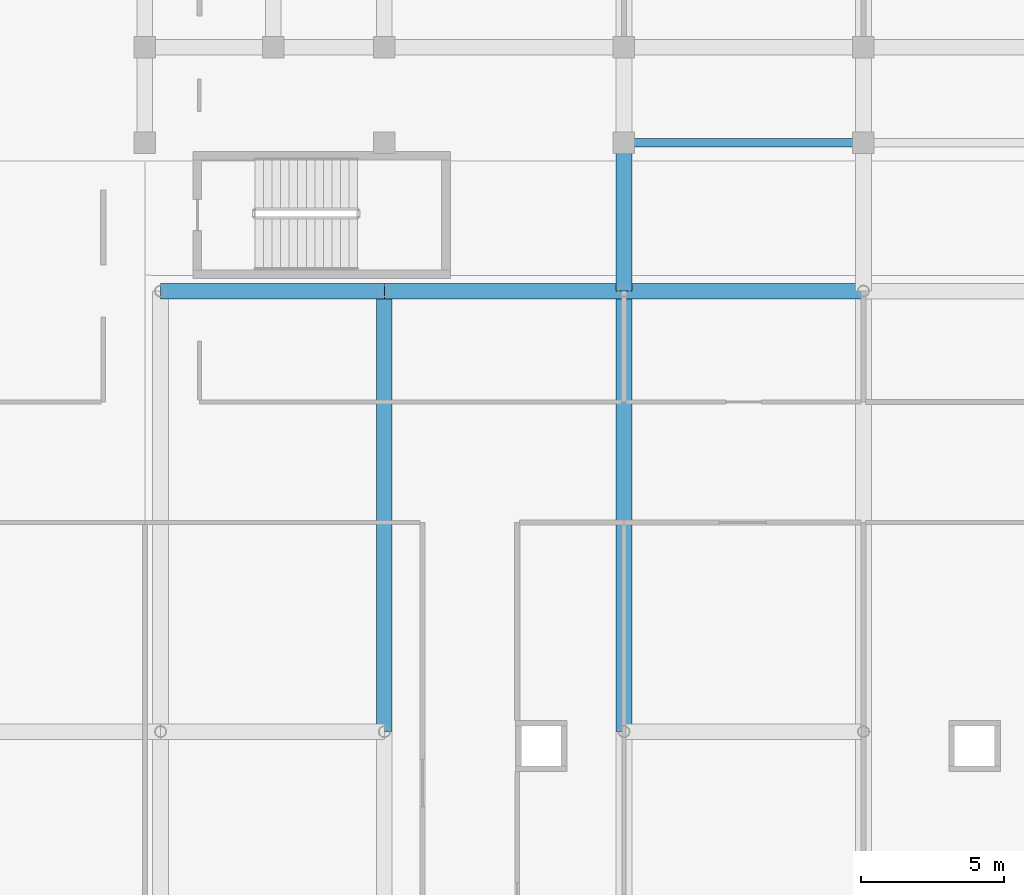
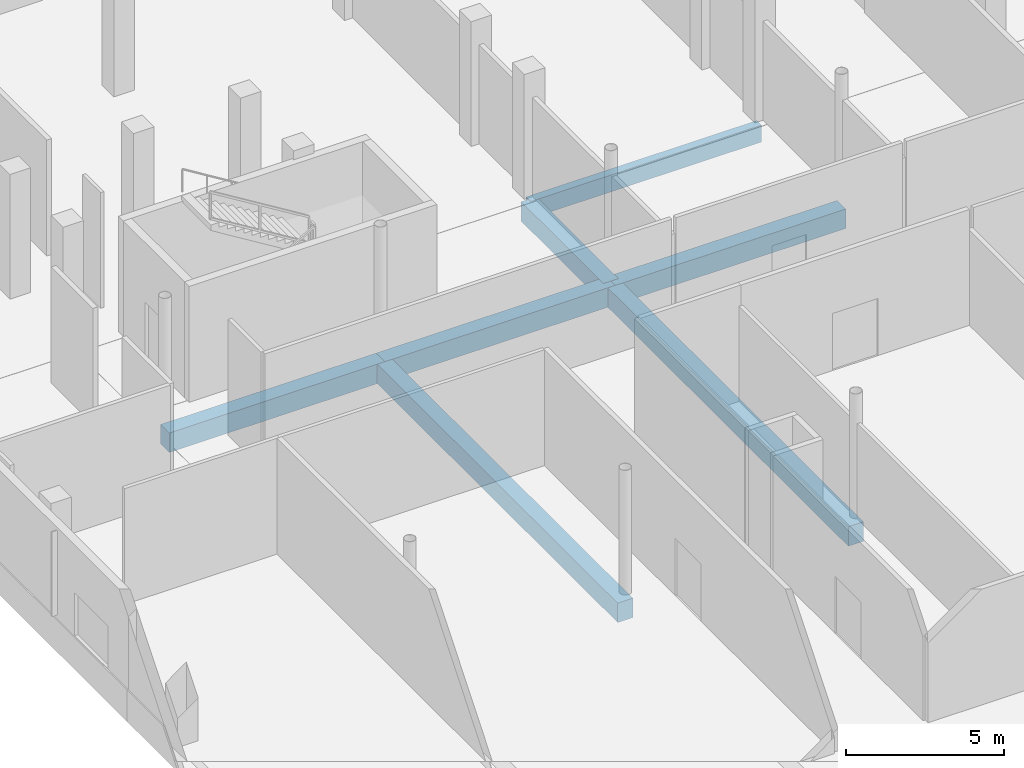
# One storey, part 58 of 155: 7 beams.
"""IFC4 building model written with IfcOpenShell, lengths in metres."""

import ifcopenshell
import ifcopenshell.guid

model = None  # the IFC model being written
_history = None  # IfcOwnerHistory: only IFC2X3 demands one
_inside = {}  # id of a spatial element -> (the spatial element, [elements in it])
_under = {}  # id of a project, library or spatial element -> (it, [spatial elements below it])
_declared = {}  # id of a project -> (the project, [libraries it declares])
_typed = {}  # id of a type object -> (the type object, [elements of that type])
_made_of = {}  # id of a material, layer set ... -> (it, [elements and type objects made of it])


def new_model(schema):
    """Start an empty IFC model of exactly this schema.

    Asked for "IFC4X3", IfcOpenShell would pick the latest addendum, in which some entities
    have other attributes; the version numbers below select the first issue.
    IFC2X3 requires an IfcOwnerHistory on every rooted entity: one is made here for all.
    """
    global model, _history
    if schema == "IFC4X3":
        model = ifcopenshell.file(schema_version=(4, 3, 0, 0))
    else:
        model = ifcopenshell.file(schema=schema)
    _inside.clear()
    _under.clear()
    _declared.clear()
    _typed.clear()
    _made_of.clear()
    _history = None
    if model.schema == "IFC2X3":
        org = make("IfcOrganization", Name="unknown")
        user = make(
            "IfcPersonAndOrganization",
            ThePerson=make("IfcPerson", FamilyName="unknown"),
            TheOrganization=org,
        )
        app = make(
            "IfcApplication",
            ApplicationDeveloper=org,
            Version="unknown",
            ApplicationFullName="unknown",
            ApplicationIdentifier="unknown",
        )
        _history = make(
            "IfcOwnerHistory",
            OwningUser=user,
            OwningApplication=app,
            ChangeAction="ADDED",
            CreationDate=0,
        )
    return model


def make(cls, **values):
    """One entity of the class cls with the attributes given. An attribute that is None is left unset."""
    return model.create_entity(
        cls, **{name: value for name, value in values.items() if value is not None}
    )


def rooted(cls, **values):
    """An entity with a GlobalId (a new one), such as an element, a storey or a relation."""
    return make(cls, GlobalId=ifcopenshell.guid.new(), OwnerHistory=_history, **values)


def si_unit(unit_type, name, prefix=None):
    """IfcSIUnit, for example si_unit("LENGTHUNIT", "METRE", prefix="MILLI")."""
    return make("IfcSIUnit", UnitType=unit_type, Prefix=prefix, Name=name)


def assignment(units):
    """IfcUnitAssignment: the units of a project."""
    return None if units is None else make("IfcUnitAssignment", Units=units)


def point(xyz):
    """IfcCartesianPoint."""
    return None if xyz is None else make("IfcCartesianPoint", Coordinates=xyz)


def direction(xyz):
    """IfcDirection."""
    return None if xyz is None else make("IfcDirection", DirectionRatios=xyz)


def frame(location, z_axis=None, x_axis=None):
    """IfcAxis2Placement3D, a coordinate frame: its origin and axes. An axis left out is left unset."""
    return make(
        "IfcAxis2Placement3D",
        Location=point(location),
        Axis=direction(z_axis),
        RefDirection=direction(x_axis),
    )


def frame_2d(location, x_axis=None):
    """IfcAxis2Placement2D, a coordinate frame in the plane: its origin and x axis."""
    return make(
        "IfcAxis2Placement2D", Location=point(location), RefDirection=direction(x_axis)
    )


def origin():
    """The frame at (0, 0, 0) with its axes left unset."""
    return frame((0.0, 0.0, 0.0))


def origin_2d():
    """The frame at (0, 0) in the plane with its x axis left unset."""
    return frame_2d((0.0, 0.0))


def place(relative_to, where):
    """IfcLocalPlacement: puts the frame where relative to a parent placement (None: the world)."""
    return make(
        "IfcLocalPlacement", PlacementRelTo=relative_to, RelativePlacement=where
    )


def context(
    kind, dimensions, precision=None, world=None, true_north=None, identifier=None
):
    """IfcGeometricRepresentationContext, for example the 3D "Model" context."""
    return make(
        "IfcGeometricRepresentationContext",
        ContextIdentifier=identifier,
        ContextType=kind,
        CoordinateSpaceDimension=dimensions,
        Precision=precision,
        WorldCoordinateSystem=world,
        TrueNorth=true_north,
    )


def subcontext(parent, identifier, kind, view, scale=None):
    """IfcGeometricRepresentationSubContext, for example "Body" below "Model"."""
    return make(
        "IfcGeometricRepresentationSubContext",
        ContextIdentifier=identifier,
        ContextType=kind,
        ParentContext=parent,
        TargetScale=scale,
        TargetView=view,
    )


def project(units=None, contexts=None):
    """IfcProject with its units and contexts."""
    return rooted(
        "IfcProject",
        Name="project",
        RepresentationContexts=contexts,
        UnitsInContext=assignment(units),
    )


def spatial(cls, under=None, at=None, **own):
    """A site, building, storey or space (cls), placed at a placement, below another one or the project."""
    s = rooted(cls, ObjectPlacement=at, **own)
    if under is not None:
        _under.setdefault(under.id(), (under, []))[1].append(s)
    return s


def profile(cls, at=None, kind="AREA", **sizes):
    """A parametric profile (cls). Its sizes go by their IFC names, for example OverallWidth=200.0."""
    return make(cls, ProfileType=kind, Position=at, **sizes)


def rectangle(**sizes):
    """IfcRectangleProfileDef."""
    return profile("IfcRectangleProfileDef", **sizes)


def extrude(swept, where, along, depth):
    """IfcExtrudedAreaSolid: the profile swept, set in the frame where, extruded along a direction by depth."""
    return make(
        "IfcExtrudedAreaSolid",
        SweptArea=swept,
        Position=where,
        ExtrudedDirection=direction(along),
        Depth=depth,
    )


def shape(context_of_items, identifier, shape_type, items):
    """IfcShapeRepresentation: the items that make up one representation, for example the "Body"."""
    return make(
        "IfcShapeRepresentation",
        ContextOfItems=context_of_items,
        RepresentationIdentifier=identifier,
        RepresentationType=shape_type,
        Items=items,
    )


def material(Name=None, Category=None):
    """IfcMaterial."""
    return make("IfcMaterial", Name=Name, Category=Category)


def material_profile(
    of_material, cross_section, Name=None, Category=None, Priority=None
):
    """IfcMaterialProfile: a cross section and its material."""
    return make(
        "IfcMaterialProfile",
        Name=Name,
        Material=of_material,
        Profile=cross_section,
        Priority=Priority,
        Category=Category,
    )


def profile_set(profiles, Name=None, composite=None):
    """IfcMaterialProfileSet."""
    return make(
        "IfcMaterialProfileSet",
        Name=Name,
        MaterialProfiles=profiles,
        CompositeProfile=composite,
    )


def made_of(thing, what):
    """Note that an element or type object is made of a material, layer set ...; save() writes the relation."""
    if what is not None:
        _made_of.setdefault(what.id(), (what, []))[1].append(thing)
    return thing


def type_object(cls, material=None, **own):
    """A type object (cls), such as IfcWallType, which elements share."""
    return made_of(rooted(cls, **own), material)


def element(
    cls,
    number,
    at=None,
    inside=None,
    cuts=None,
    type_object=None,
    material=None,
    context=None,
    identifier="Body",
    shape_type=None,
    held_by="IfcProductDefinitionShape",
    body=None,
    shapes=None,
    **own,
):
    """One element of the class cls, such as IfcWall. Its Tag is "e" and its number.

    at: its placement. inside: the storey or other place that contains it. cuts: it is an
    opening in that element (IfcRelVoidsElement). A single representation is given by context,
    identifier, shape_type and body (its items); several are given by shapes. held_by: the class
    of the entity that holds the representations. save() writes the other relations.
    """
    e = rooted(cls, Tag="e%d" % number, ObjectPlacement=at, **own)
    if body is not None:
        shapes = [shape(context, identifier, shape_type, body)]
    if shapes is not None:
        e.Representation = make(held_by, Representations=shapes)
    if inside is not None:
        _inside.setdefault(inside.id(), (inside, []))[1].append(e)
    if cuts is not None:
        rooted(
            "IfcRelVoidsElement", RelatingBuildingElement=cuts, RelatedOpeningElement=e
        )
    if type_object is not None:
        _typed.setdefault(type_object.id(), (type_object, []))[1].append(e)
    return made_of(e, material)


def aggregate(whole, parts):
    """IfcRelAggregates: a whole, such as a stair, and the parts it consists of."""
    return rooted("IfcRelAggregates", RelatingObject=whole, RelatedObjects=parts)


def save(model, path):
    """Write the relations noted so far, then the file.

    IfcRelAggregates (storeys below a building ...), IfcRelContainedInSpatialStructure (elements
    in a storey), IfcRelDefinesByType, IfcRelAssociatesMaterial and IfcRelDeclares: one each for
    every whole, place, type object, material and project.
    """
    for whole, parts in _under.values():
        aggregate(whole, parts)
    for where, things in _inside.values():
        rooted(
            "IfcRelContainedInSpatialStructure",
            RelatedElements=things,
            RelatingStructure=where,
        )
    for kind, things in _typed.values():
        rooted("IfcRelDefinesByType", RelatedObjects=things, RelatingType=kind)
    for what, things in _made_of.values():
        rooted("IfcRelAssociatesMaterial", RelatedObjects=things, RelatingMaterial=what)
    for by, libraries in _declared.values():
        rooted("IfcRelDeclares", RelatingContext=by, RelatedDefinitions=libraries)
    model.write(path)


model = new_model("IFC4")

# Units and contexts
model_context = context("Model", 3, precision=1e-05, world=origin(), true_north=direction((0.0, 1.0)))
body_context = subcontext(model_context, "Body", "Model", "MODEL_VIEW")
ifc_project = project(units=[si_unit("LENGTHUNIT", "METRE"), si_unit("AREAUNIT", "SQUARE_METRE"), si_unit("VOLUMEUNIT", "CUBIC_METRE"), si_unit("PLANEANGLEUNIT", "RADIAN"), si_unit("MASSUNIT", "GRAM", prefix="KILO")], contexts=[model_context])

# Site, building, storey
site_placement = place(None, origin())
site = spatial("IfcSite", under=ifc_project, at=site_placement, CompositionType="ELEMENT")
building_placement = place(site_placement, origin())
building = spatial("IfcBuilding", under=site, at=building_placement, Name="Selatvlak General Hospital", CompositionType="ELEMENT")
storey_placement = place(building_placement, frame((0.0, 0.0, 10.199951171875)))
storey = spatial("IfcBuildingStorey", under=building, at=storey_placement, Name="L02", CompositionType="ELEMENT", Elevation=10.199951171875)

# Beams
ifc_material = material(Name="Concrete C40/50", Category="concrete")
ifc_material_profile_1 = material_profile(ifc_material, rectangle(XDim=0.550048828125, YDim=0.75, at=origin_2d()), Name="RC-BM 550x750")
ifc_profile_set_1 = profile_set([ifc_material_profile_1], Name="Concrete C40/50")
beam_type_1 = type_object("IfcBeamType", Name="BM-G02", PredefinedType="BEAM", material=ifc_profile_set_1)
beam_1_placement = place(storey_placement, frame((23.35009765625, 83.449951171875, -0.72998046875), z_axis=(1.0, 0.0, 0.0), x_axis=(0.0, 1.0, 0.0)))
element("IfcBeam", 1, at=beam_1_placement, inside=storey, type_object=beam_type_1, Name="Beam BMR-L02-0806", PredefinedType="BEAM", context=body_context, shape_type="SweptSolid", body=[
    extrude(rectangle(XDim=0.550048828125, YDim=0.75, at=origin_2d()), origin(), (0.0, 0.0, 1.0), 7.849853515625),
])
beam_2_placement = place(storey_placement, frame((31.199951171875, 83.449951171875, -0.72998046875), z_axis=(1.0, 0.0, 0.0), x_axis=(0.0, 1.0, 0.0)))
element("IfcBeam", 2, at=beam_2_placement, inside=storey, type_object=beam_type_1, Name="Beam BMR-L02-0807", PredefinedType="BEAM", context=body_context, shape_type="SweptSolid", body=[
    extrude(rectangle(XDim=0.550048828125, YDim=0.75, at=origin_2d()), origin(), (0.0, 0.0, 1.0), 8.400146484375),
])
beam_3_placement = place(storey_placement, frame((39.60009765625, 83.449951171875, -0.72998046875), z_axis=(1.0, 0.0, 0.0), x_axis=(0.0, 1.0, 0.0)))
element("IfcBeam", 3, at=beam_3_placement, inside=storey, type_object=beam_type_1, Name="Beam BMR-L02-0808", PredefinedType="BEAM", context=body_context, shape_type="SweptSolid", body=[
    extrude(rectangle(XDim=0.550048828125, YDim=0.75, at=origin_2d()), origin(), (0.0, 0.0, 1.0), 8.39990234375),
])
for number, where, z_axis, x_axis, name in (
    (4, (31.199951171875, 68.0, -0.72998046875), (0.0, 1.0, 0.0), (-1.0, 0.0, 0.0), "Beam BMR-L02-0938"),
    (5, (39.60009765625, 68.0, -0.72998046875), (0.0, 1.0, 0.0), (-1.0, 0.0, 0.0), "Beam BMR-L02-0944"),
):
    element("IfcBeam", number, at=place(storey_placement, frame(where, z_axis=z_axis, x_axis=x_axis)), inside=storey, type_object=beam_type_1, Name=name, PredefinedType="BEAM", context=body_context, shape_type="SweptSolid", body=[
        extrude(rectangle(XDim=0.550048828125, YDim=0.75, at=origin_2d()), origin(), (0.0, 0.0, 1.0), 15.449951171875),
    ])
beam_4_placement = place(storey_placement, frame((39.60009765625, 83.449951171875, -0.72998046875), z_axis=(0.0, 1.0, 0.0), x_axis=(-1.0, 0.0, 0.0)))
element("IfcBeam", 6, at=beam_4_placement, inside=storey, type_object=beam_type_1, Name="Beam BMR-L02-0945", PredefinedType="BEAM", context=body_context, shape_type="SweptSolid", body=[
    extrude(rectangle(XDim=0.550048828125, YDim=0.75, at=origin_2d()), origin(), (0.0, 0.0, 1.0), 5.199951171875),
])
ifc_material_profile_2 = material_profile(ifc_material, rectangle(XDim=0.300048828125, YDim=0.64990234375, at=origin_2d()), Name="RC-SP 300x650")
ifc_profile_set_2 = profile_set([ifc_material_profile_2], Name="Concrete C40/50")
beam_type_2 = type_object("IfcBeamType", Name="BM-SP1", PredefinedType="SPANDREL", material=ifc_profile_set_2)
beam_5_placement = place(storey_placement, frame((39.60009765625, 88.64990234375, -0.679931640625), z_axis=(1.0, 0.0, 0.0), x_axis=(0.0, 1.0, 0.0)))
element("IfcBeam", 7, at=beam_5_placement, inside=storey, type_object=beam_type_2, Name="Beam BMR-L02-0818", PredefinedType="SPANDREL", context=body_context, shape_type="SweptSolid", body=[
    extrude(rectangle(XDim=0.300048828125, YDim=0.64990234375, at=origin_2d()), origin(), (0.0, 0.0, 1.0), 8.39990234375),
])

save(model, "model.ifc")
